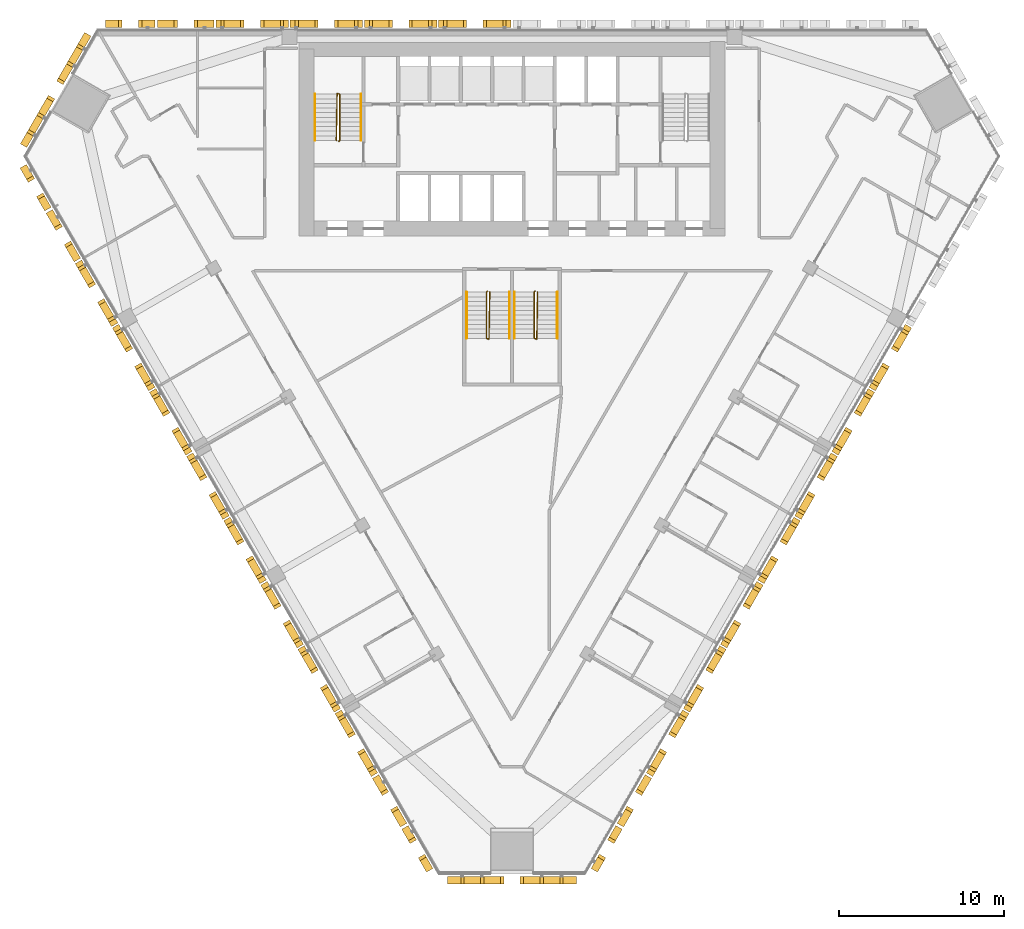
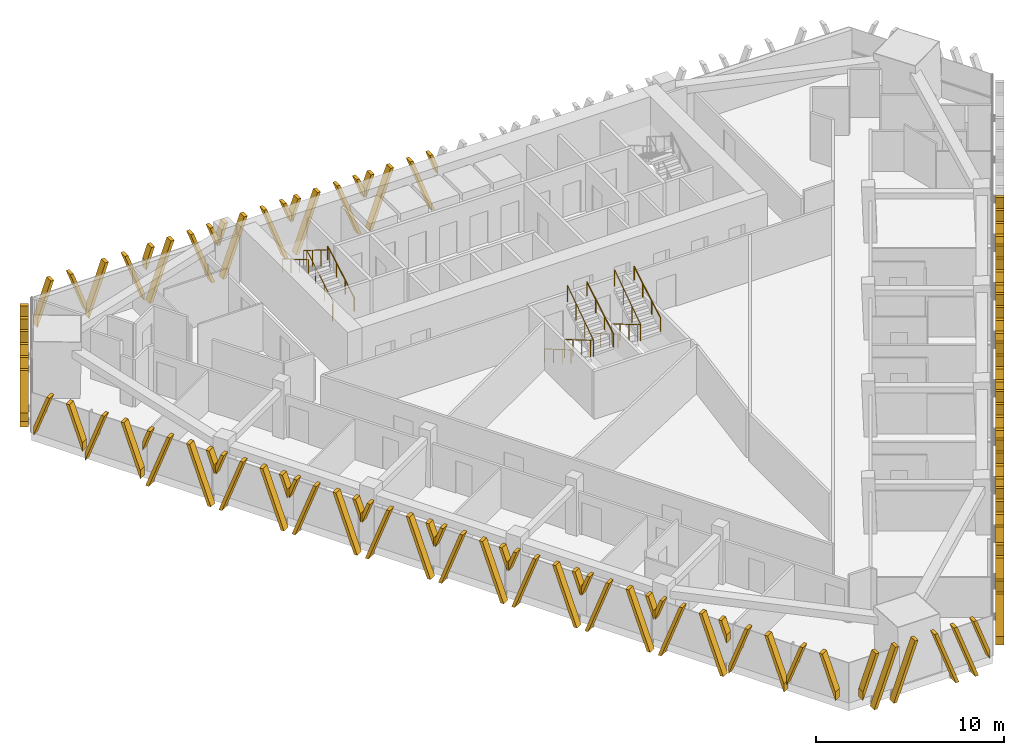
# One storey, part 14 of 16: 29 shading devices, 9 railings.
"""IFC4 building model written with IfcOpenShell, lengths in metres."""

from ifc_helpers import new_model, si_unit, direction, frame, origin, origin_2d, place, context, subcontext, project, spatial, polyline, circle, outline, extrude, source, transform, mapped, material, type_object, element, save


model = new_model("IFC4")

# Units and contexts
model_context = context("Model", 3, precision=1e-05, world=origin(), true_north=direction((0.0, 1.0)))
body_context = subcontext(model_context, "Body", "Model", "MODEL_VIEW")
ifc_project = project(units=[si_unit("LENGTHUNIT", "METRE"), si_unit("AREAUNIT", "SQUARE_METRE"), si_unit("VOLUMEUNIT", "CUBIC_METRE"), si_unit("PLANEANGLEUNIT", "RADIAN"), si_unit("MASSUNIT", "GRAM", prefix="KILO")], contexts=[model_context])

# Site, building, storey
site_placement = place(None, origin())
site = spatial("IfcSite", under=ifc_project, at=site_placement, CompositionType="ELEMENT")
building_placement = place(site_placement, origin())
building = spatial("IfcBuilding", under=site, at=building_placement, Name="Altiplano Prism Tower", CompositionType="ELEMENT")
storey_placement = place(building_placement, frame((0.0, 0.0, 81.0)))
storey = spatial("IfcBuildingStorey", under=building, at=storey_placement, Name="L20", CompositionType="ELEMENT", Elevation=81.0)

# Railings
ifc_material_1 = material(Name="Steel S355", Category="steel")
railing_type_1 = type_object("IfcRailingType", Name="Stair guard 1100", PredefinedType="GUARDRAIL", material=ifc_material_1)
railing_1_placement = place(storey_placement, frame((74.5, 98.25, 0.0)))
element("IfcRailing", 1, at=railing_1_placement, inside=storey, type_object=railing_type_1, Name="L20 ST1 stair guard 1", PredefinedType="GUARDRAIL", context=body_context, shape_type="SweptSolid", body=[
    extrude(circle(Radius=0.02392578125, at=origin_2d()), frame((0.0, 0.0, 1.076171875), z_axis=(0.280808744504, 0.280808744504, 0.917765164963), x_axis=(-0.707106781187, 0.707106781187, 0.0)), (0.0, 0.0, 1.0), 0.17822265625),
    extrude(circle(Radius=0.02392578125, at=origin_2d()), frame((0.050048828125, 0.050048828125, 1.23974609375), z_axis=(0.0, 0.863360870873, 0.504586966384), x_axis=(-1.0, 0.0, 0.0)), (0.0, 0.0, 1.0), 3.2431640625),
    extrude(circle(Radius=0.02392578125, at=origin_2d()), frame((0.050048828125, 2.85009765625, 2.8759765625), z_axis=(-0.949145278916, 0.314838433982, 0.0), x_axis=(-0.314838433982, -0.949145278916, 0.0)), (0.0, 0.0, 1.0), 0.158203125),
    extrude(circle(Radius=0.02392578125, at=origin_2d()), frame((-0.10009765625, 2.89990234375, 2.8759765625), z_axis=(-0.01477401265, -0.845377694409, 0.533964682676), x_axis=(0.999847325713, -0.01747355902, 0.0)), (0.0, 0.0, 1.0), 3.37109375),
    extrude(circle(Radius=0.02099609375, at=origin_2d()), origin(), (0.0, 0.0, 1.0), 1.052001953125),
    extrude(circle(Radius=0.02099609375, at=origin_2d()), frame((0.050048828125, 0.050048828125, 0.16357421875)), (0.0, 0.0, 1.0), 1.052001953125),
    extrude(circle(Radius=0.02099609375, at=origin_2d()), frame((0.050048828125, 0.9833984375, 0.708984375)), (0.0, 0.0, 1.0), 1.052001953125),
    extrude(circle(Radius=0.02099609375, at=origin_2d()), frame((0.050048828125, 1.916748046875, 1.254638671875)), (0.0, 0.0, 1.0), 1.052001953125),
    extrude(circle(Radius=0.02099609375, at=origin_2d()), frame((0.050048828125, 2.85009765625, 1.800048828125)), (0.0, 0.0, 1.0), 1.052001953125),
    extrude(circle(Radius=0.02099609375, at=origin_2d()), frame((-0.10009765625, 2.89990234375, 1.800048828125)), (0.0, 0.0, 1.0), 1.052001953125),
    extrude(circle(Radius=0.02099609375, at=origin_2d()), frame((-0.11669921875, 1.949951171875, 2.400146484375)), (0.0, 0.0, 1.0), 1.052001953125),
    extrude(circle(Radius=0.02099609375, at=origin_2d()), frame((-0.13330078125, 1.0, 3.0)), (0.0, 0.0, 1.0), 1.052001953125),
    extrude(circle(Radius=0.02099609375, at=origin_2d()), frame((-0.14990234375, 0.050048828125, 3.60009765625)), (0.0, 0.0, 1.0), 1.052001953125),
])
railing_2_placement = place(storey_placement, frame((83.5, 89.14990234375, 0.0)))
element("IfcRailing", 2, at=railing_2_placement, inside=storey, type_object=railing_type_1, Name="L20 ST3A stair guard 1", PredefinedType="GUARDRAIL", context=body_context, shape_type="SweptSolid", body=[
    extrude(circle(Radius=0.02392578125, at=origin_2d()), frame((0.0, 0.0, 1.076171875), z_axis=(-0.280916556609, -0.279546231943, 0.91811752648), x_axis=(0.705375805398, -0.708833529934, 0.0)), (0.0, 0.0, 1.0), 0.17822265625),
    extrude(circle(Radius=0.02392578125, at=origin_2d()), frame((-0.050048828125, -0.0498046875, 1.23974609375), z_axis=(0.0, -0.863360870873, 0.504586966384), x_axis=(1.0, 0.0, 0.0)), (0.0, 0.0, 1.0), 3.2431640625),
    extrude(circle(Radius=0.02392578125, at=origin_2d()), frame((-0.050048828125, -2.849853515625, 2.8759765625), z_axis=(0.948683298051, -0.316227766017, 0.0), x_axis=(0.316227766017, 0.948683298051, 0.0)), (0.0, 0.0, 1.0), 0.158203125),
    extrude(circle(Radius=0.02392578125, at=origin_2d()), frame((0.10009765625, -2.89990234375, 2.8759765625), z_axis=(0.014773108175, 0.84539835705, 0.533931993021), x_axis=(-0.999847351862, 0.017472062685, 0.0)), (0.0, 0.0, 1.0), 3.371337890625),
    extrude(circle(Radius=0.02099609375, at=origin_2d()), origin(), (0.0, 0.0, 1.0), 1.052001953125),
    extrude(circle(Radius=0.02099609375, at=origin_2d()), frame((-0.050048828125, -0.0498046875, 0.16357421875)), (0.0, 0.0, 1.0), 1.052001953125),
    extrude(circle(Radius=0.02099609375, at=origin_2d()), frame((-0.050048828125, -0.983154296875, 0.708984375)), (0.0, 0.0, 1.0), 1.052001953125),
    extrude(circle(Radius=0.02099609375, at=origin_2d()), frame((-0.050048828125, -1.91650390625, 1.254638671875)), (0.0, 0.0, 1.0), 1.052001953125),
    extrude(circle(Radius=0.02099609375, at=origin_2d()), frame((-0.050048828125, -2.849853515625, 1.800048828125)), (0.0, 0.0, 1.0), 1.052001953125),
    extrude(circle(Radius=0.02099609375, at=origin_2d()), frame((0.10009765625, -2.89990234375, 1.800048828125)), (0.0, 0.0, 1.0), 1.052001953125),
    extrude(circle(Radius=0.02099609375, at=origin_2d()), frame((0.11669921875, -1.949951171875, 2.400146484375)), (0.0, 0.0, 1.0), 1.052001953125),
    extrude(circle(Radius=0.02099609375, at=origin_2d()), frame((0.13330078125, -0.999755859375, 3.0)), (0.0, 0.0, 1.0), 1.052001953125),
    extrude(circle(Radius=0.02099609375, at=origin_2d()), frame((0.14990234375, -0.0498046875, 3.60009765625)), (0.0, 0.0, 1.0), 1.052001953125),
])
railing_3_placement = place(storey_placement, frame((86.39990234375, 89.14990234375, 0.0)))
element("IfcRailing", 3, at=railing_3_placement, inside=storey, type_object=railing_type_1, Name="L20 ST3B stair guard 1", PredefinedType="GUARDRAIL", context=body_context, shape_type="SweptSolid", body=[
    extrude(circle(Radius=0.02392578125, at=origin_2d()), frame((0.0, 0.0, 1.076171875), z_axis=(-0.279653641804, -0.279653641804, 0.918470294159), x_axis=(0.707106781187, -0.707106781187, 0.0)), (0.0, 0.0, 1.0), 0.177978515625),
    extrude(circle(Radius=0.02392578125, at=origin_2d()), frame((-0.0498046875, -0.0498046875, 1.23974609375), z_axis=(0.0, -0.863360870873, 0.504586966384), x_axis=(1.0, 0.0, 0.0)), (0.0, 0.0, 1.0), 3.2431640625),
    extrude(circle(Radius=0.02392578125, at=origin_2d()), frame((-0.0498046875, -2.849853515625, 2.8759765625), z_axis=(0.948528701346, -0.316691178788, 0.0), x_axis=(0.316691178788, 0.948528701346, 0.0)), (0.0, 0.0, 1.0), 0.157958984375),
    extrude(circle(Radius=0.02392578125, at=origin_2d()), frame((0.10009765625, -2.89990234375, 2.8759765625), z_axis=(0.014845509451, 0.845397450405, 0.533931420407), x_axis=(-0.999845851991, 0.017557683712, 0.0)), (0.0, 0.0, 1.0), 3.371337890625),
    extrude(circle(Radius=0.02099609375, at=origin_2d()), origin(), (0.0, 0.0, 1.0), 1.052001953125),
    extrude(circle(Radius=0.02099609375, at=origin_2d()), frame((-0.0498046875, -0.0498046875, 0.16357421875)), (0.0, 0.0, 1.0), 1.052001953125),
    extrude(circle(Radius=0.02099609375, at=origin_2d()), frame((-0.0498046875, -0.983154296875, 0.708984375)), (0.0, 0.0, 1.0), 1.052001953125),
    extrude(circle(Radius=0.02099609375, at=origin_2d()), frame((-0.0498046875, -1.91650390625, 1.254638671875)), (0.0, 0.0, 1.0), 1.052001953125),
    extrude(circle(Radius=0.02099609375, at=origin_2d()), frame((-0.0498046875, -2.849853515625, 1.800048828125)), (0.0, 0.0, 1.0), 1.052001953125),
    extrude(circle(Radius=0.02099609375, at=origin_2d()), frame((0.10009765625, -2.89990234375, 1.800048828125)), (0.0, 0.0, 1.0), 1.052001953125),
    extrude(circle(Radius=0.02099609375, at=origin_2d()), frame((0.11669921875, -1.949951171875, 2.400146484375)), (0.0, 0.0, 1.0), 1.052001953125),
    extrude(circle(Radius=0.02099609375, at=origin_2d()), frame((0.133544921875, -0.999755859375, 3.0)), (0.0, 0.0, 1.0), 1.052001953125),
    extrude(circle(Radius=0.02099609375, at=origin_2d()), frame((0.150146484375, -0.0498046875, 3.60009765625)), (0.0, 0.0, 1.0), 1.052001953125),
])
railing_type_2 = type_object("IfcRailingType", Name="Stair handrail 900", PredefinedType="HANDRAIL", material=ifc_material_1)
railing_4_placement = place(storey_placement, frame((75.85009765625, 98.300048828125, 0.16357421875)))
element("IfcRailing", 4, at=railing_4_placement, inside=storey, type_object=railing_type_2, Name="L20 ST1 stair handrail 1", PredefinedType="HANDRAIL", context=body_context, shape_type="SweptSolid", body=[
    extrude(circle(Radius=0.02392578125, at=origin_2d()), frame((0.0, 0.0, 0.8759765625), z_axis=(0.0, 0.863360870873, 0.504586966384), x_axis=(-1.0, 0.0, 0.0)), (0.0, 0.0, 1.0), 3.2431640625),
    extrude(circle(Radius=0.02099609375, at=origin_2d()), origin(), (0.0, 0.0, 1.0), 0.851806640625),
    extrude(circle(Radius=0.02099609375, at=origin_2d()), frame((0.0, 0.933349609375, 0.54541015625)), (0.0, 0.0, 1.0), 0.851806640625),
    extrude(circle(Radius=0.02099609375, at=origin_2d()), frame((0.0, 1.86669921875, 1.091064453125)), (0.0, 0.0, 1.0), 0.851806640625),
    extrude(circle(Radius=0.02099609375, at=origin_2d()), frame((0.0, 2.800048828125, 1.636474609375)), (0.0, 0.0, 1.0), 0.851806640625),
])
for number, where, name in (
    (5, (73.050048828125, 101.10009765625, 1.963623046875), "L20 ST1 stair handrail 2"),
    (6, (82.25, 89.10009765625, 0.16357421875), "L20 ST3A stair handrail 1"),
):
    element("IfcRailing", number, at=place(storey_placement, frame(where)), inside=storey, type_object=railing_type_2, Name=name, PredefinedType="HANDRAIL", context=body_context, shape_type="SweptSolid", body=[
        extrude(circle(Radius=0.02392578125, at=origin_2d()), frame((0.0, 0.0, 0.8759765625), z_axis=(0.0, -0.863360870873, 0.504586966384), x_axis=(1.0, 0.0, 0.0)), (0.0, 0.0, 1.0), 3.2431640625),
        extrude(circle(Radius=0.02099609375, at=origin_2d()), origin(), (0.0, 0.0, 1.0), 0.851806640625),
        extrude(circle(Radius=0.02099609375, at=origin_2d()), frame((0.0, -0.933349609375, 0.54541015625)), (0.0, 0.0, 1.0), 0.851806640625),
        extrude(circle(Radius=0.02099609375, at=origin_2d()), frame((0.0, -1.86669921875, 1.091064453125)), (0.0, 0.0, 1.0), 0.851806640625),
        extrude(circle(Radius=0.02099609375, at=origin_2d()), frame((0.0, -2.800048828125, 1.636474609375)), (0.0, 0.0, 1.0), 0.851806640625),
    ])
railing_5_placement = place(storey_placement, frame((84.85009765625, 86.300048828125, 1.963623046875)))
element("IfcRailing", 7, at=railing_5_placement, inside=storey, type_object=railing_type_2, Name="L20 ST3A stair handrail 2", PredefinedType="HANDRAIL", context=body_context, shape_type="SweptSolid", body=[
    extrude(circle(Radius=0.02392578125, at=origin_2d()), frame((0.0, 0.0, 0.8759765625), z_axis=(0.0, 0.863360870873, 0.504586966384), x_axis=(-1.0, 0.0, 0.0)), (0.0, 0.0, 1.0), 3.2431640625),
    extrude(circle(Radius=0.02099609375, at=origin_2d()), origin(), (0.0, 0.0, 1.0), 0.851806640625),
    extrude(circle(Radius=0.02099609375, at=origin_2d()), frame((0.0, 0.933349609375, 0.54541015625)), (0.0, 0.0, 1.0), 0.851806640625),
    extrude(circle(Radius=0.02099609375, at=origin_2d()), frame((0.0, 1.86669921875, 1.091064453125)), (0.0, 0.0, 1.0), 0.851806640625),
    extrude(circle(Radius=0.02099609375, at=origin_2d()), frame((0.0, 2.800048828125, 1.636474609375)), (0.0, 0.0, 1.0), 0.851806640625),
])
railing_6_placement = place(storey_placement, frame((85.14990234375, 89.10009765625, 0.16357421875)))
element("IfcRailing", 8, at=railing_6_placement, inside=storey, type_object=railing_type_2, Name="L20 ST3B stair handrail 1", PredefinedType="HANDRAIL", context=body_context, shape_type="SweptSolid", body=[
    extrude(circle(Radius=0.02392578125, at=origin_2d()), frame((0.0, 0.0, 0.8759765625), z_axis=(0.0, -0.863360870873, 0.504586966384), x_axis=(1.0, 0.0, 0.0)), (0.0, 0.0, 1.0), 3.2431640625),
    extrude(circle(Radius=0.02099609375, at=origin_2d()), origin(), (0.0, 0.0, 1.0), 0.851806640625),
    extrude(circle(Radius=0.02099609375, at=origin_2d()), frame((0.0, -0.933349609375, 0.54541015625)), (0.0, 0.0, 1.0), 0.851806640625),
    extrude(circle(Radius=0.02099609375, at=origin_2d()), frame((0.0, -1.86669921875, 1.091064453125)), (0.0, 0.0, 1.0), 0.851806640625),
    extrude(circle(Radius=0.02099609375, at=origin_2d()), frame((0.0, -2.800048828125, 1.636474609375)), (0.0, 0.0, 1.0), 0.851806640625),
])
railing_7_placement = place(storey_placement, frame((87.75, 86.300048828125, 1.963623046875)))
element("IfcRailing", 9, at=railing_7_placement, inside=storey, type_object=railing_type_2, Name="L20 ST3B stair handrail 2", PredefinedType="HANDRAIL", context=body_context, shape_type="SweptSolid", body=[
    extrude(circle(Radius=0.02392578125, at=origin_2d()), frame((0.0, 0.0, 0.8759765625), z_axis=(0.0, 0.863360870873, 0.504586966384), x_axis=(-1.0, 0.0, 0.0)), (0.0, 0.0, 1.0), 3.2431640625),
    extrude(circle(Radius=0.02099609375, at=origin_2d()), origin(), (0.0, 0.0, 1.0), 0.851806640625),
    extrude(circle(Radius=0.02099609375, at=origin_2d()), frame((0.0, 0.933349609375, 0.54541015625)), (0.0, 0.0, 1.0), 0.851806640625),
    extrude(circle(Radius=0.02099609375, at=origin_2d()), frame((0.0, 1.86669921875, 1.091064453125)), (0.0, 0.0, 1.0), 0.851806640625),
    extrude(circle(Radius=0.02099609375, at=origin_2d()), frame((0.0, 2.800048828125, 1.636474609375)), (0.0, 0.0, 1.0), 0.851806640625),
])

# Shading devices
ifc_material_2 = material(Name="Warm limestone cast stone", Category="masonry")
shading_device_type_1 = type_object("IfcShadingDeviceType", Name="Stone fin panel, standard unit", PredefinedType="USERDEFINED", material=ifc_material_2)
shared_shape_1 = source(origin(), body_context, "Body", "SweptSolid", [
    extrude(outline(polyline([(-2.199951171875, 2.226318359375), (-1.699951171875, 3.60009765625), (-1.89990234375, 3.60009765625), (-2.199951171875, 2.77587890625), (-2.199951171875, 2.226318359375)])), frame((0.0, -0.14990234375, 0.0), z_axis=(0.0, -1.0, 0.0), x_axis=(1.0, 0.0, 0.0)), (0.0, 0.0, 1.0), 0.4501953125),
    extrude(outline(polyline([(-2.01025390625, 0.0), (-1.810302734375, 0.0), (-0.5, 3.60009765625), (-0.699951171875, 3.60009765625), (-2.01025390625, 0.0)])), frame((0.0, -0.14990234375, 0.0), z_axis=(0.0, -1.0, 0.0), x_axis=(1.0, 0.0, 0.0)), (0.0, 0.0, 1.0), 0.4501953125),
    extrude(outline(polyline([(1.810302734375, 0.0), (2.01025390625, 0.0), (0.699951171875, 3.60009765625), (0.5, 3.60009765625), (1.810302734375, 0.0)])), frame((0.0, -0.14990234375, 0.0), z_axis=(0.0, -1.0, 0.0), x_axis=(1.0, 0.0, 0.0)), (0.0, 0.0, 1.0), 0.4501953125),
    extrude(outline(polyline([(2.199951171875, 2.77587890625), (1.89990234375, 3.60009765625), (1.699951171875, 3.60009765625), (2.199951171875, 2.226318359375), (2.199951171875, 2.77587890625)])), frame((0.0, -0.14990234375, 0.0), z_axis=(0.0, -1.0, 0.0), x_axis=(1.0, 0.0, 0.0)), (0.0, 0.0, 1.0), 0.4501953125),
])
shading_device_1_placement = place(storey_placement, origin())
element("IfcShadingDevice", 10, at=shading_device_1_placement, inside=storey, type_object=shading_device_type_1, Name="Fin L20 north face 7", ObjectType="FIN", PredefinedType="USERDEFINED", context=body_context, shape_type="MappedRepresentation", body=[
    mapped(shared_shape_1, transform((82.75, 105.0, -0.5), x_axis=(-1.0, 0.0, 0.0), y_axis=(0.0, -1.0, 0.0), z_axis=(0.0, 0.0, 1.0))),
])
shading_device_2_placement = place(storey_placement, origin())
element("IfcShadingDevice", 11, at=shading_device_2_placement, inside=storey, type_object=shading_device_type_1, Name="Fin L20 north face 8", ObjectType="FIN", PredefinedType="USERDEFINED", context=body_context, shape_type="MappedRepresentation", body=[
    mapped(shared_shape_1, transform((78.25, 105.0, -0.5), x_axis=(-1.0, 0.0, 0.0), y_axis=(0.0, -1.0, 0.0), z_axis=(0.0, 0.0, 1.0))),
])
shading_device_3_placement = place(storey_placement, origin())
element("IfcShadingDevice", 12, at=shading_device_3_placement, inside=storey, type_object=shading_device_type_1, Name="Fin L20 north face 9", ObjectType="FIN", PredefinedType="USERDEFINED", context=body_context, shape_type="MappedRepresentation", body=[
    mapped(shared_shape_1, transform((73.75, 105.0, -0.5), x_axis=(-1.0, 0.0, 0.0), y_axis=(0.0, -1.0, 0.0), z_axis=(0.0, 0.0, 1.0))),
])
shading_device_4_placement = place(storey_placement, origin())
element("IfcShadingDevice", 13, at=shading_device_4_placement, inside=storey, type_object=shading_device_type_1, Name="Fin L20 north face 10", ObjectType="FIN", PredefinedType="USERDEFINED", context=body_context, shape_type="MappedRepresentation", body=[
    mapped(shared_shape_1, transform((69.25, 105.0, -0.5), x_axis=(-1.0, 0.0, 0.0), y_axis=(0.0, -1.0, 0.0), z_axis=(0.0, 0.0, 1.0))),
])
shading_device_5_placement = place(storey_placement, origin())
element("IfcShadingDevice", 14, at=shading_device_5_placement, inside=storey, type_object=shading_device_type_1, Name="Fin L20 south-west face 3", ObjectType="FIN", PredefinedType="USERDEFINED", context=body_context, shape_type="MappedRepresentation", body=[
    mapped(shared_shape_1, transform((60.138427734375, 89.218017578125, -0.5), x_axis=(0.500000006139, -0.86602540024, 0.0), y_axis=(0.86602540024, 0.500000006139, 0.0), z_axis=(0.0, 0.0, 1.0))),
])
shading_device_6_placement = place(storey_placement, origin())
element("IfcShadingDevice", 15, at=shading_device_6_placement, inside=storey, type_object=shading_device_type_1, Name="Fin L20 south-west face 4", ObjectType="FIN", PredefinedType="USERDEFINED", context=body_context, shape_type="MappedRepresentation", body=[
    mapped(shared_shape_1, transform((62.388427734375, 85.321044921875, -0.5), x_axis=(0.500000006139, -0.86602540024, 0.0), y_axis=(0.86602540024, 0.500000006139, 0.0), z_axis=(0.0, 0.0, 1.0))),
])
shading_device_7_placement = place(storey_placement, origin())
element("IfcShadingDevice", 16, at=shading_device_7_placement, inside=storey, type_object=shading_device_type_1, Name="Fin L20 south-west face 5", ObjectType="FIN", PredefinedType="USERDEFINED", context=body_context, shape_type="MappedRepresentation", body=[
    mapped(shared_shape_1, transform((64.638427734375, 81.423828125, -0.5), x_axis=(0.500000006139, -0.86602540024, 0.0), y_axis=(0.86602540024, 0.500000006139, 0.0), z_axis=(0.0, 0.0, 1.0))),
])
shading_device_8_placement = place(storey_placement, origin())
element("IfcShadingDevice", 17, at=shading_device_8_placement, inside=storey, type_object=shading_device_type_1, Name="Fin L20 south-west face 6", ObjectType="FIN", PredefinedType="USERDEFINED", context=body_context, shape_type="MappedRepresentation", body=[
    mapped(shared_shape_1, transform((66.888427734375, 77.52685546875, -0.5), x_axis=(0.500000006139, -0.86602540024, 0.0), y_axis=(0.86602540024, 0.500000006139, 0.0), z_axis=(0.0, 0.0, 1.0))),
])
shading_device_9_placement = place(storey_placement, origin())
element("IfcShadingDevice", 18, at=shading_device_9_placement, inside=storey, type_object=shading_device_type_1, Name="Fin L20 south-west face 7", ObjectType="FIN", PredefinedType="USERDEFINED", context=body_context, shape_type="MappedRepresentation", body=[
    mapped(shared_shape_1, transform((69.138427734375, 73.629638671875, -0.5), x_axis=(0.500000006139, -0.86602540024, 0.0), y_axis=(0.86602540024, 0.500000006139, 0.0), z_axis=(0.0, 0.0, 1.0))),
])
shading_device_10_placement = place(storey_placement, origin())
element("IfcShadingDevice", 19, at=shading_device_10_placement, inside=storey, type_object=shading_device_type_1, Name="Fin L20 south-west face 8", ObjectType="FIN", PredefinedType="USERDEFINED", context=body_context, shape_type="MappedRepresentation", body=[
    mapped(shared_shape_1, transform((71.388427734375, 69.732421875, -0.5), x_axis=(0.500000006139, -0.86602540024, 0.0), y_axis=(0.86602540024, 0.500000006139, 0.0), z_axis=(0.0, 0.0, 1.0))),
])
shading_device_11_placement = place(storey_placement, origin())
element("IfcShadingDevice", 20, at=shading_device_11_placement, inside=storey, type_object=shading_device_type_1, Name="Fin L20 south-west face 9", ObjectType="FIN", PredefinedType="USERDEFINED", context=body_context, shape_type="MappedRepresentation", body=[
    mapped(shared_shape_1, transform((73.638427734375, 65.83544921875, -0.5), x_axis=(0.500000006139, -0.86602540024, 0.0), y_axis=(0.86602540024, 0.500000006139, 0.0), z_axis=(0.0, 0.0, 1.0))),
])
shading_device_12_placement = place(storey_placement, origin())
element("IfcShadingDevice", 21, at=shading_device_12_placement, inside=storey, type_object=shading_device_type_1, Name="Fin L20 south-west face 10", ObjectType="FIN", PredefinedType="USERDEFINED", context=body_context, shape_type="MappedRepresentation", body=[
    mapped(shared_shape_1, transform((75.888427734375, 61.938232421875, -0.5), x_axis=(0.500000006139, -0.86602540024, 0.0), y_axis=(0.86602540024, 0.500000006139, 0.0), z_axis=(0.0, 0.0, 1.0))),
])
shading_device_13_placement = place(storey_placement, origin())
element("IfcShadingDevice", 22, at=shading_device_13_placement, inside=storey, type_object=shading_device_type_1, Name="Fin L20 south-east face 3", ObjectType="FIN", PredefinedType="USERDEFINED", context=body_context, shape_type="MappedRepresentation", body=[
    mapped(shared_shape_1, transform((94.111572265625, 61.938232421875, -0.5), x_axis=(0.500000006139, 0.86602540024, 0.0), y_axis=(-0.86602540024, 0.500000006139, 0.0), z_axis=(0.0, 0.0, 1.0))),
])
shading_device_14_placement = place(storey_placement, origin())
element("IfcShadingDevice", 23, at=shading_device_14_placement, inside=storey, type_object=shading_device_type_1, Name="Fin L20 south-east face 4", ObjectType="FIN", PredefinedType="USERDEFINED", context=body_context, shape_type="MappedRepresentation", body=[
    mapped(shared_shape_1, transform((96.361572265625, 65.83544921875, -0.5), x_axis=(0.500000006139, 0.86602540024, 0.0), y_axis=(-0.86602540024, 0.500000006139, 0.0), z_axis=(0.0, 0.0, 1.0))),
])
shading_device_15_placement = place(storey_placement, origin())
element("IfcShadingDevice", 24, at=shading_device_15_placement, inside=storey, type_object=shading_device_type_1, Name="Fin L20 south-east face 5", ObjectType="FIN", PredefinedType="USERDEFINED", context=body_context, shape_type="MappedRepresentation", body=[
    mapped(shared_shape_1, transform((98.611572265625, 69.732421875, -0.5), x_axis=(0.500000006139, 0.86602540024, 0.0), y_axis=(-0.86602540024, 0.500000006139, 0.0), z_axis=(0.0, 0.0, 1.0))),
])
shading_device_16_placement = place(storey_placement, origin())
element("IfcShadingDevice", 25, at=shading_device_16_placement, inside=storey, type_object=shading_device_type_1, Name="Fin L20 south-east face 6", ObjectType="FIN", PredefinedType="USERDEFINED", context=body_context, shape_type="MappedRepresentation", body=[
    mapped(shared_shape_1, transform((100.861572265625, 73.629638671875, -0.5), x_axis=(0.500000006139, 0.86602540024, 0.0), y_axis=(-0.86602540024, 0.500000006139, 0.0), z_axis=(0.0, 0.0, 1.0))),
])
shading_device_17_placement = place(storey_placement, origin())
element("IfcShadingDevice", 26, at=shading_device_17_placement, inside=storey, type_object=shading_device_type_1, Name="Fin L20 south-east face 7", ObjectType="FIN", PredefinedType="USERDEFINED", context=body_context, shape_type="MappedRepresentation", body=[
    mapped(shared_shape_1, transform((103.111572265625, 77.52685546875, -0.5), x_axis=(0.500000006139, 0.86602540024, 0.0), y_axis=(-0.86602540024, 0.500000006139, 0.0), z_axis=(0.0, 0.0, 1.0))),
])
shading_device_18_placement = place(storey_placement, origin())
element("IfcShadingDevice", 27, at=shading_device_18_placement, inside=storey, type_object=shading_device_type_1, Name="Fin L20 south-east face 8", ObjectType="FIN", PredefinedType="USERDEFINED", context=body_context, shape_type="MappedRepresentation", body=[
    mapped(shared_shape_1, transform((105.361572265625, 81.423828125, -0.5), x_axis=(0.500000006139, 0.86602540024, 0.0), y_axis=(-0.86602540024, 0.500000006139, 0.0), z_axis=(0.0, 0.0, 1.0))),
])
shading_device_19_placement = place(storey_placement, origin())
element("IfcShadingDevice", 28, at=shading_device_19_placement, inside=storey, type_object=shading_device_type_1, Name="Fin L20 south-east face 9", ObjectType="FIN", PredefinedType="USERDEFINED", context=body_context, shape_type="MappedRepresentation", body=[
    mapped(shared_shape_1, transform((107.611572265625, 85.321044921875, -0.5), x_axis=(0.500000006139, 0.86602540024, 0.0), y_axis=(-0.86602540024, 0.500000006139, 0.0), z_axis=(0.0, 0.0, 1.0))),
])
shading_device_type_2 = type_object("IfcShadingDeviceType", Name="Stone fin panel, narrow closing bay", PredefinedType="USERDEFINED", material=ifc_material_2)
shared_shape_2 = source(origin(), body_context, "Body", "SweptSolid", [
    extrude(outline(polyline([(-1.699951171875, 0.302978515625), (-0.5, 3.60009765625), (-0.699951171875, 3.60009765625), (-1.699951171875, 0.8525390625), (-1.699951171875, 0.302978515625)])), frame((0.0, -0.14990234375, 0.0), z_axis=(0.0, -1.0, 0.0), x_axis=(1.0, 0.0, 0.0)), (0.0, 0.0, 1.0), 0.4501953125),
    extrude(outline(polyline([(1.699951171875, 0.8525390625), (0.699951171875, 3.60009765625), (0.5, 3.60009765625), (1.699951171875, 0.302978515625), (1.699951171875, 0.8525390625)])), frame((0.0, -0.14990234375, 0.0), z_axis=(0.0, -1.0, 0.0), x_axis=(1.0, 0.0, 0.0)), (0.0, 0.0, 1.0), 0.4501953125),
])
shading_device_20_placement = place(storey_placement, origin())
element("IfcShadingDevice", 29, at=shading_device_20_placement, inside=storey, type_object=shading_device_type_2, Name="Fin L20 north face 11", ObjectType="FIN", PredefinedType="USERDEFINED", context=body_context, shape_type="MappedRepresentation", body=[
    mapped(shared_shape_2, transform((65.218017578125, 105.0, -0.5), x_axis=(-1.0, 0.0, 0.0), y_axis=(0.0, -1.0, 0.0), z_axis=(0.0, 0.0, 1.0))),
])
shading_device_21_placement = place(storey_placement, origin())
element("IfcShadingDevice", 30, at=shading_device_21_placement, inside=storey, type_object=shading_device_type_2, Name="Fin L20 south-west face 2", ObjectType="FIN", PredefinedType="USERDEFINED", context=body_context, shape_type="MappedRepresentation", body=[
    mapped(shared_shape_2, transform((58.122314453125, 92.7099609375, -0.5), x_axis=(0.500000006139, -0.86602540024, 0.0), y_axis=(0.86602540024, 0.500000006139, 0.0), z_axis=(0.0, 0.0, 1.0))),
])
shading_device_22_placement = place(storey_placement, origin())
element("IfcShadingDevice", 31, at=shading_device_22_placement, inside=storey, type_object=shading_device_type_2, Name="Fin L20 south-west face 11", ObjectType="FIN", PredefinedType="USERDEFINED", context=body_context, shape_type="MappedRepresentation", body=[
    mapped(shared_shape_2, transform((77.904296875, 58.446533203125, -0.5), x_axis=(0.500000006139, -0.86602540024, 0.0), y_axis=(0.86602540024, 0.500000006139, 0.0), z_axis=(0.0, 0.0, 1.0))),
])
shading_device_23_placement = place(storey_placement, origin())
element("IfcShadingDevice", 32, at=shading_device_23_placement, inside=storey, type_object=shading_device_type_2, Name="Fin L20 south-east face 2", ObjectType="FIN", PredefinedType="USERDEFINED", context=body_context, shape_type="MappedRepresentation", body=[
    mapped(shared_shape_2, transform((92.095703125, 58.446533203125, -0.5), x_axis=(0.500000006139, 0.86602540024, 0.0), y_axis=(-0.86602540024, 0.500000006139, 0.0), z_axis=(0.0, 0.0, 1.0))),
])
shared_shape_3 = source(origin(), body_context, "Body", "SweptSolid", [
    extrude(outline(polyline([(-1.5, 0.8525390625), (-0.5, 3.60009765625), (-0.699951171875, 3.60009765625), (-1.5, 1.402099609375), (-1.5, 0.8525390625)])), frame((0.0, -0.14990234375, 0.0), z_axis=(0.0, -1.0, 0.0), x_axis=(1.0, 0.0, 0.0)), (0.0, 0.0, 1.0), 0.4501953125),
    extrude(outline(polyline([(1.5, 1.402099609375), (0.699951171875, 3.60009765625), (0.5, 3.60009765625), (1.5, 0.8525390625), (1.5, 1.402099609375)])), frame((0.0, -0.14990234375, 0.0), z_axis=(0.0, -1.0, 0.0), x_axis=(1.0, 0.0, 0.0)), (0.0, 0.0, 1.0), 0.4501953125),
])
shading_device_24_placement = place(storey_placement, origin())
element("IfcShadingDevice", 33, at=shading_device_24_placement, inside=storey, type_object=shading_device_type_2, Name="Fin L20 north face 12", ObjectType="FIN", PredefinedType="USERDEFINED", context=body_context, shape_type="MappedRepresentation", body=[
    mapped(shared_shape_3, transform((61.85400390625, 105.0, -0.5), x_axis=(-1.0, 0.0, 0.0), y_axis=(0.0, -1.0, 0.0), z_axis=(0.0, 0.0, 1.0))),
])
shading_device_25_placement = place(storey_placement, origin())
element("IfcShadingDevice", 34, at=shading_device_25_placement, inside=storey, type_object=shading_device_type_2, Name="Fin L20 south-west face 1", ObjectType="FIN", PredefinedType="USERDEFINED", context=body_context, shape_type="MappedRepresentation", body=[
    mapped(shared_shape_3, transform((56.4404296875, 95.623291015625, -0.5), x_axis=(0.500000006139, -0.86602540024, 0.0), y_axis=(0.86602540024, 0.500000006139, 0.0), z_axis=(0.0, 0.0, 1.0))),
])
shading_device_26_placement = place(storey_placement, origin())
element("IfcShadingDevice", 35, at=shading_device_26_placement, inside=storey, type_object=shading_device_type_2, Name="Fin L20 south-west face 12", ObjectType="FIN", PredefinedType="USERDEFINED", context=body_context, shape_type="MappedRepresentation", body=[
    mapped(shared_shape_3, transform((79.586181640625, 55.533203125, -0.5), x_axis=(0.500000006139, -0.86602540024, 0.0), y_axis=(0.86602540024, 0.500000006139, 0.0), z_axis=(0.0, 0.0, 1.0))),
])
shading_device_27_placement = place(storey_placement, origin())
element("IfcShadingDevice", 36, at=shading_device_27_placement, inside=storey, type_object=shading_device_type_2, Name="Fin L20 south-east face 1", ObjectType="FIN", PredefinedType="USERDEFINED", context=body_context, shape_type="MappedRepresentation", body=[
    mapped(shared_shape_3, transform((90.413818359375, 55.533203125, -0.5), x_axis=(0.500000006139, 0.86602540024, 0.0), y_axis=(-0.86602540024, 0.500000006139, 0.0), z_axis=(0.0, 0.0, 1.0))),
])
shading_device_type_3 = type_object("IfcShadingDeviceType", Name="Stone fin panel, chamfer unit", PredefinedType="USERDEFINED", material=ifc_material_2)
shared_shape_4 = source(origin(), body_context, "Body", "SweptSolid", [
    extrude(outline(polyline([(-3.89990234375, 0.8525390625), (-2.89990234375, 3.60009765625), (-3.10009765625, 3.60009765625), (-3.89990234375, 1.402099609375), (-3.89990234375, 0.8525390625)])), frame((0.0, -0.14990234375, 0.0), z_axis=(0.0, -1.0, 0.0), x_axis=(1.0, 0.0, 0.0)), (0.0, 0.0, 1.0), 0.4501953125),
    extrude(outline(polyline([(-3.210205078125, 0.0), (-3.01025390625, 0.0), (-1.699951171875, 3.60009765625), (-1.89990234375, 3.60009765625), (-3.210205078125, 0.0)])), frame((0.0, -0.14990234375, 0.0), z_axis=(0.0, -1.0, 0.0), x_axis=(1.0, 0.0, 0.0)), (0.0, 0.0, 1.0), 0.4501953125),
    extrude(outline(polyline([(-2.01025390625, 0.0), (-1.810302734375, 0.0), (-0.5, 3.60009765625), (-0.699951171875, 3.60009765625), (-2.01025390625, 0.0)])), frame((0.0, -0.14990234375, 0.0), z_axis=(0.0, -1.0, 0.0), x_axis=(1.0, 0.0, 0.0)), (0.0, 0.0, 1.0), 0.4501953125),
    extrude(outline(polyline([(1.810302734375, 0.0), (2.01025390625, 0.0), (0.699951171875, 3.60009765625), (0.5, 3.60009765625), (1.810302734375, 0.0)])), frame((0.0, -0.14990234375, 0.0), z_axis=(0.0, -1.0, 0.0), x_axis=(1.0, 0.0, 0.0)), (0.0, 0.0, 1.0), 0.4501953125),
    extrude(outline(polyline([(3.01025390625, 0.0), (3.210205078125, 0.0), (1.89990234375, 3.60009765625), (1.699951171875, 3.60009765625), (3.01025390625, 0.0)])), frame((0.0, -0.14990234375, 0.0), z_axis=(0.0, -1.0, 0.0), x_axis=(1.0, 0.0, 0.0)), (0.0, 0.0, 1.0), 0.4501953125),
    extrude(outline(polyline([(3.89990234375, 1.402099609375), (3.10009765625, 3.60009765625), (2.89990234375, 3.60009765625), (3.89990234375, 0.8525390625), (3.89990234375, 1.402099609375)])), frame((0.0, -0.14990234375, 0.0), z_axis=(0.0, -1.0, 0.0), x_axis=(1.0, 0.0, 0.0)), (0.0, 0.0, 1.0), 0.4501953125),
])
shading_device_28_placement = place(storey_placement, origin())
element("IfcShadingDevice", 37, at=shading_device_28_placement, inside=storey, type_object=shading_device_type_3, Name="Fin L20 north-west chamfer 1", ObjectType="FIN", PredefinedType="USERDEFINED", context=body_context, shape_type="MappedRepresentation", body=[
    mapped(shared_shape_4, transform((57.66064453125, 101.169921875, -0.5), x_axis=(-0.499999935135, -0.866025441234, 0.0), y_axis=(0.866025441234, -0.499999935135, 0.0), z_axis=(0.0, 0.0, 1.0))),
])
shading_device_29_placement = place(storey_placement, origin())
element("IfcShadingDevice", 38, at=shading_device_29_placement, inside=storey, type_object=shading_device_type_3, Name="Fin L20 south chamfer 1", ObjectType="FIN", PredefinedType="USERDEFINED", context=body_context, shape_type="MappedRepresentation", body=[
    mapped(shared_shape_4, transform((85.0, 53.816650390625, -0.5), x_axis=(1.0, 0.0, 0.0), y_axis=(0.0, 1.0, 0.0), z_axis=(0.0, 0.0, 1.0))),
])

save(model, "model.ifc")
